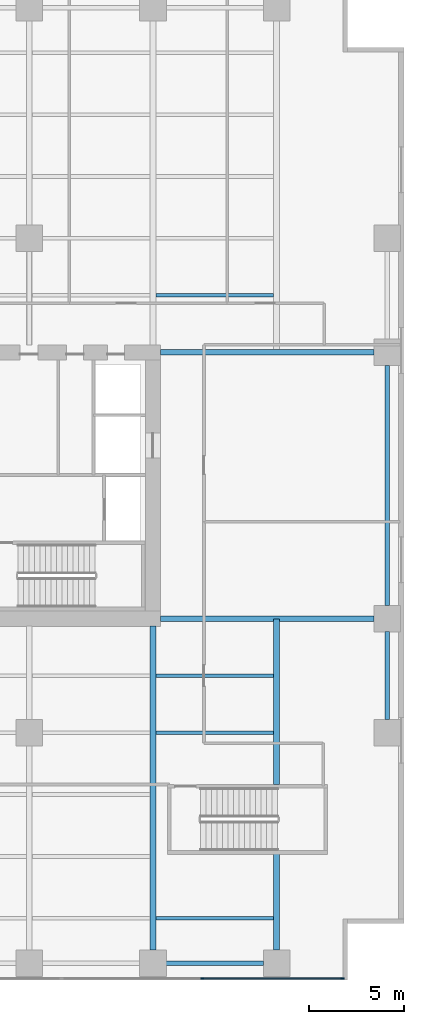
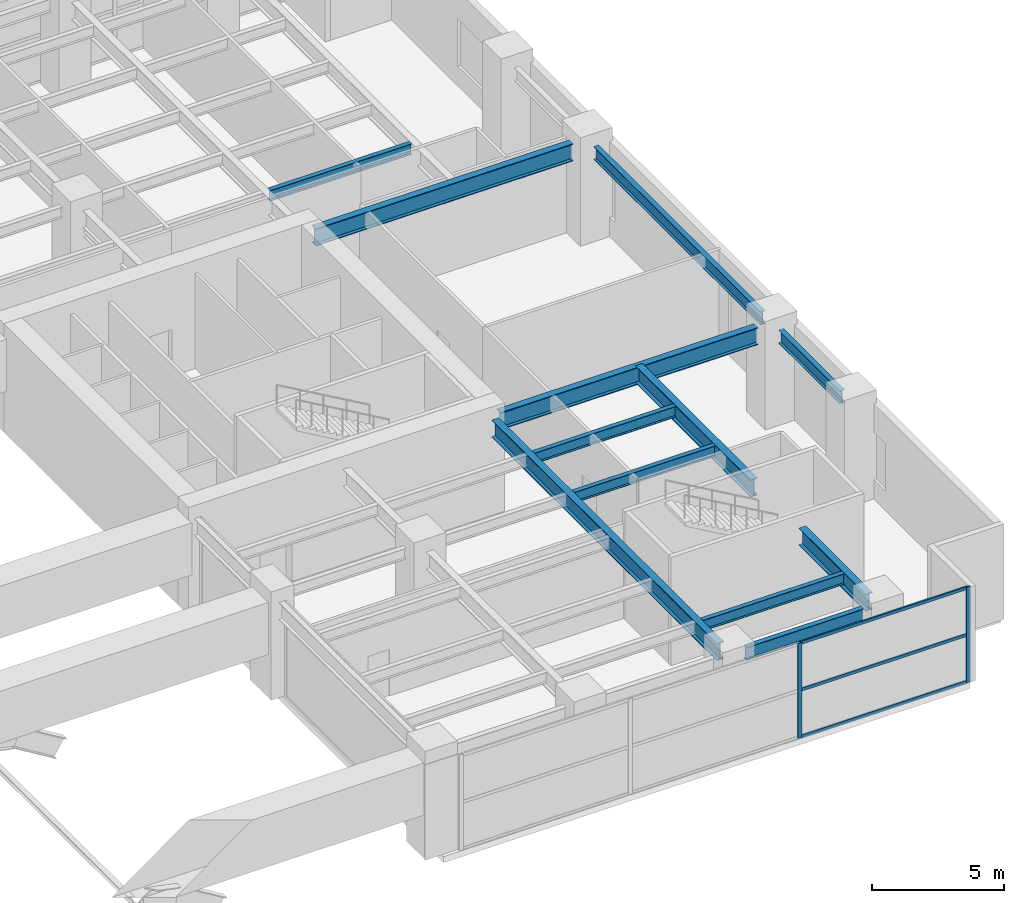
# One storey, part 10 of 23: 12 beams, 5 members, 1 element without a shape of its own.
"""IFC4 building model written with IfcOpenShell, lengths in metres."""

import ifcopenshell
import ifcopenshell.guid

model = None  # the IFC model being written
_history = None  # IfcOwnerHistory: only IFC2X3 demands one
_inside = {}  # id of a spatial element -> (the spatial element, [elements in it])
_under = {}  # id of a project, library or spatial element -> (it, [spatial elements below it])
_declared = {}  # id of a project -> (the project, [libraries it declares])
_typed = {}  # id of a type object -> (the type object, [elements of that type])
_made_of = {}  # id of a material, layer set ... -> (it, [elements and type objects made of it])


def new_model(schema):
    """Start an empty IFC model of exactly this schema.

    Asked for "IFC4X3", IfcOpenShell would pick the latest addendum, in which some entities
    have other attributes; the version numbers below select the first issue.
    IFC2X3 requires an IfcOwnerHistory on every rooted entity: one is made here for all.
    """
    global model, _history
    if schema == "IFC4X3":
        model = ifcopenshell.file(schema_version=(4, 3, 0, 0))
    else:
        model = ifcopenshell.file(schema=schema)
    _inside.clear()
    _under.clear()
    _declared.clear()
    _typed.clear()
    _made_of.clear()
    _history = None
    if model.schema == "IFC2X3":
        org = make("IfcOrganization", Name="unknown")
        user = make(
            "IfcPersonAndOrganization",
            ThePerson=make("IfcPerson", FamilyName="unknown"),
            TheOrganization=org,
        )
        app = make(
            "IfcApplication",
            ApplicationDeveloper=org,
            Version="unknown",
            ApplicationFullName="unknown",
            ApplicationIdentifier="unknown",
        )
        _history = make(
            "IfcOwnerHistory",
            OwningUser=user,
            OwningApplication=app,
            ChangeAction="ADDED",
            CreationDate=0,
        )
    return model


def make(cls, **values):
    """One entity of the class cls with the attributes given. An attribute that is None is left unset."""
    return model.create_entity(
        cls, **{name: value for name, value in values.items() if value is not None}
    )


def rooted(cls, **values):
    """An entity with a GlobalId (a new one), such as an element, a storey or a relation."""
    return make(cls, GlobalId=ifcopenshell.guid.new(), OwnerHistory=_history, **values)


def si_unit(unit_type, name, prefix=None):
    """IfcSIUnit, for example si_unit("LENGTHUNIT", "METRE", prefix="MILLI")."""
    return make("IfcSIUnit", UnitType=unit_type, Prefix=prefix, Name=name)


def assignment(units):
    """IfcUnitAssignment: the units of a project."""
    return None if units is None else make("IfcUnitAssignment", Units=units)


def point(xyz):
    """IfcCartesianPoint."""
    return None if xyz is None else make("IfcCartesianPoint", Coordinates=xyz)


def direction(xyz):
    """IfcDirection."""
    return None if xyz is None else make("IfcDirection", DirectionRatios=xyz)


def frame(location, z_axis=None, x_axis=None):
    """IfcAxis2Placement3D, a coordinate frame: its origin and axes. An axis left out is left unset."""
    return make(
        "IfcAxis2Placement3D",
        Location=point(location),
        Axis=direction(z_axis),
        RefDirection=direction(x_axis),
    )


def frame_2d(location, x_axis=None):
    """IfcAxis2Placement2D, a coordinate frame in the plane: its origin and x axis."""
    return make(
        "IfcAxis2Placement2D", Location=point(location), RefDirection=direction(x_axis)
    )


def origin():
    """The frame at (0, 0, 0) with its axes left unset."""
    return frame((0.0, 0.0, 0.0))


def origin_2d():
    """The frame at (0, 0) in the plane with its x axis left unset."""
    return frame_2d((0.0, 0.0))


def place(relative_to, where):
    """IfcLocalPlacement: puts the frame where relative to a parent placement (None: the world)."""
    return make(
        "IfcLocalPlacement", PlacementRelTo=relative_to, RelativePlacement=where
    )


def context(
    kind, dimensions, precision=None, world=None, true_north=None, identifier=None
):
    """IfcGeometricRepresentationContext, for example the 3D "Model" context."""
    return make(
        "IfcGeometricRepresentationContext",
        ContextIdentifier=identifier,
        ContextType=kind,
        CoordinateSpaceDimension=dimensions,
        Precision=precision,
        WorldCoordinateSystem=world,
        TrueNorth=true_north,
    )


def subcontext(parent, identifier, kind, view, scale=None):
    """IfcGeometricRepresentationSubContext, for example "Body" below "Model"."""
    return make(
        "IfcGeometricRepresentationSubContext",
        ContextIdentifier=identifier,
        ContextType=kind,
        ParentContext=parent,
        TargetScale=scale,
        TargetView=view,
    )


def project(units=None, contexts=None):
    """IfcProject with its units and contexts."""
    return rooted(
        "IfcProject",
        Name="project",
        RepresentationContexts=contexts,
        UnitsInContext=assignment(units),
    )


def spatial(cls, under=None, at=None, **own):
    """A site, building, storey or space (cls), placed at a placement, below another one or the project."""
    s = rooted(cls, ObjectPlacement=at, **own)
    if under is not None:
        _under.setdefault(under.id(), (under, []))[1].append(s)
    return s


def profile(cls, at=None, kind="AREA", **sizes):
    """A parametric profile (cls). Its sizes go by their IFC names, for example OverallWidth=200.0."""
    return make(cls, ProfileType=kind, Position=at, **sizes)


def rectangle(**sizes):
    """IfcRectangleProfileDef."""
    return profile("IfcRectangleProfileDef", **sizes)


def i_section(**sizes):
    """IfcIShapeProfileDef."""
    return profile("IfcIShapeProfileDef", **sizes)


def extrude(swept, where, along, depth):
    """IfcExtrudedAreaSolid: the profile swept, set in the frame where, extruded along a direction by depth."""
    return make(
        "IfcExtrudedAreaSolid",
        SweptArea=swept,
        Position=where,
        ExtrudedDirection=direction(along),
        Depth=depth,
    )


def shape(context_of_items, identifier, shape_type, items):
    """IfcShapeRepresentation: the items that make up one representation, for example the "Body"."""
    return make(
        "IfcShapeRepresentation",
        ContextOfItems=context_of_items,
        RepresentationIdentifier=identifier,
        RepresentationType=shape_type,
        Items=items,
    )


def material(Name=None, Category=None):
    """IfcMaterial."""
    return make("IfcMaterial", Name=Name, Category=Category)


def layer(
    of_material, thickness, ventilated=None, Name=None, Category=None, Priority=None
):
    """IfcMaterialLayer: one layer of a wall or slab, of a material (None: an air gap)."""
    return make(
        "IfcMaterialLayer",
        Material=of_material,
        LayerThickness=thickness,
        IsVentilated=ventilated,
        Name=Name,
        Category=Category,
        Priority=Priority,
    )


def layer_set(layers, Name=None):
    """IfcMaterialLayerSet."""
    return make("IfcMaterialLayerSet", MaterialLayers=layers, LayerSetName=Name)


def material_profile(
    of_material, cross_section, Name=None, Category=None, Priority=None
):
    """IfcMaterialProfile: a cross section and its material."""
    return make(
        "IfcMaterialProfile",
        Name=Name,
        Material=of_material,
        Profile=cross_section,
        Priority=Priority,
        Category=Category,
    )


def profile_set(profiles, Name=None, composite=None):
    """IfcMaterialProfileSet."""
    return make(
        "IfcMaterialProfileSet",
        Name=Name,
        MaterialProfiles=profiles,
        CompositeProfile=composite,
    )


def made_of(thing, what):
    """Note that an element or type object is made of a material, layer set ...; save() writes the relation."""
    if what is not None:
        _made_of.setdefault(what.id(), (what, []))[1].append(thing)
    return thing


def type_object(cls, material=None, **own):
    """A type object (cls), such as IfcWallType, which elements share."""
    return made_of(rooted(cls, **own), material)


def element(
    cls,
    number,
    at=None,
    inside=None,
    cuts=None,
    type_object=None,
    material=None,
    context=None,
    identifier="Body",
    shape_type=None,
    held_by="IfcProductDefinitionShape",
    body=None,
    shapes=None,
    **own,
):
    """One element of the class cls, such as IfcWall. Its Tag is "e" and its number.

    at: its placement. inside: the storey or other place that contains it. cuts: it is an
    opening in that element (IfcRelVoidsElement). A single representation is given by context,
    identifier, shape_type and body (its items); several are given by shapes. held_by: the class
    of the entity that holds the representations. save() writes the other relations.
    """
    e = rooted(cls, Tag="e%d" % number, ObjectPlacement=at, **own)
    if body is not None:
        shapes = [shape(context, identifier, shape_type, body)]
    if shapes is not None:
        e.Representation = make(held_by, Representations=shapes)
    if inside is not None:
        _inside.setdefault(inside.id(), (inside, []))[1].append(e)
    if cuts is not None:
        rooted(
            "IfcRelVoidsElement", RelatingBuildingElement=cuts, RelatedOpeningElement=e
        )
    if type_object is not None:
        _typed.setdefault(type_object.id(), (type_object, []))[1].append(e)
    return made_of(e, material)


def aggregate(whole, parts):
    """IfcRelAggregates: a whole, such as a stair, and the parts it consists of."""
    return rooted("IfcRelAggregates", RelatingObject=whole, RelatedObjects=parts)


def save(model, path):
    """Write the relations noted so far, then the file.

    IfcRelAggregates (storeys below a building ...), IfcRelContainedInSpatialStructure (elements
    in a storey), IfcRelDefinesByType, IfcRelAssociatesMaterial and IfcRelDeclares: one each for
    every whole, place, type object, material and project.
    """
    for whole, parts in _under.values():
        aggregate(whole, parts)
    for where, things in _inside.values():
        rooted(
            "IfcRelContainedInSpatialStructure",
            RelatedElements=things,
            RelatingStructure=where,
        )
    for kind, things in _typed.values():
        rooted("IfcRelDefinesByType", RelatedObjects=things, RelatingType=kind)
    for what, things in _made_of.values():
        rooted("IfcRelAssociatesMaterial", RelatedObjects=things, RelatingMaterial=what)
    for by, libraries in _declared.values():
        rooted("IfcRelDeclares", RelatingContext=by, RelatedDefinitions=libraries)
    model.write(path)


model = new_model("IFC4")

# Units and contexts
model_context = context("Model", 3, precision=1e-05, world=origin(), true_north=direction((0.0, 1.0)))
body_context = subcontext(model_context, "Body", "Model", "MODEL_VIEW")
ifc_project = project(units=[si_unit("LENGTHUNIT", "METRE"), si_unit("AREAUNIT", "SQUARE_METRE"), si_unit("VOLUMEUNIT", "CUBIC_METRE"), si_unit("PLANEANGLEUNIT", "RADIAN"), si_unit("MASSUNIT", "GRAM", prefix="KILO")], contexts=[model_context])

# Site, building, storey
site_placement = place(None, origin())
site = spatial("IfcSite", under=ifc_project, at=site_placement, CompositionType="ELEMENT")
building_placement = place(site_placement, origin())
building = spatial("IfcBuilding", under=site, at=building_placement, Name="Putna Gate Headquarters", CompositionType="ELEMENT")
storey_placement = place(building_placement, frame((0.0, 0.0, 17.0)))
storey = spatial("IfcBuildingStorey", under=building, at=storey_placement, Name="L03", CompositionType="ELEMENT", Elevation=17.0)

# Beams
ifc_material_1 = material(Name="Steel S355J2", Category="steel")
ifc_material_profile_1 = material_profile(ifc_material_1, i_section(OverallWidth=0.300048828125, OverallDepth=0.800048828125, WebThickness=0.017578125, FlangeThickness=0.032958984375, at=origin_2d()), Name="Steel S355J2")
ifc_profile_set_1 = profile_set([ifc_material_profile_1], Name="Steel S355J2")
beam_type_1 = type_object("IfcBeamType", Name="BM-GIRD-P-HEB800", PredefinedType="USERDEFINED", material=ifc_profile_set_1)
for number, where, z_axis, x_axis, name in (
    (1, (65.385009765625, 19.0, 4.0), (1.0, 0.0, 0.0), (0.0, 1.0, 0.0), "L03 East Wing Girder Y19"),
    (2, (65.385009765625, 33.0, 4.0), (1.0, 0.0, 0.0), (0.0, 1.0, 0.0), "L03 East Wing Girder Y33"),
):
    element("IfcBeam", number, at=place(storey_placement, frame(where, z_axis=z_axis, x_axis=x_axis)), inside=storey, type_object=beam_type_1, Name=name, ObjectType="GIRDER", PredefinedType="USERDEFINED", context=body_context, shape_type="SweptSolid", body=[
        extrude(i_section(OverallWidth=0.300048828125, OverallDepth=0.800048828125, WebThickness=0.017578125, FlangeThickness=0.032958984375, at=origin_2d()), origin(), (0.0, 0.0, 1.0), 11.2470703125),
    ])
beam_1_placement = place(storey_placement, frame((65.0, 1.568115234375, 4.0), z_axis=(0.0, 1.0, 0.0), x_axis=(-1.0, 0.0, 0.0)))
element("IfcBeam", 3, at=beam_1_placement, inside=storey, type_object=beam_type_1, Name="L03 South Primary Girder X65", ObjectType="GIRDER", PredefinedType="USERDEFINED", context=body_context, shape_type="SweptSolid", body=[
    extrude(i_section(OverallWidth=0.300048828125, OverallDepth=0.800048828125, WebThickness=0.017578125, FlangeThickness=0.032958984375, at=origin_2d()), origin(), (0.0, 0.0, 1.0), 17.046875),
])
beam_2_placement = place(storey_placement, frame((71.5, 1.568115234375, 4.0), z_axis=(0.0, 1.0, 0.0), x_axis=(-1.0, 0.0, 0.0)))
element("IfcBeam", 4, at=beam_2_placement, inside=storey, type_object=beam_type_1, Name="L03 South Girder X71-A", ObjectType="GIRDER", PredefinedType="USERDEFINED", context=body_context, shape_type="SweptSolid", body=[
    extrude(i_section(OverallWidth=0.300048828125, OverallDepth=0.800048828125, WebThickness=0.017578125, FlangeThickness=0.032958984375, at=origin_2d()), origin(), (0.0, 0.0, 1.0), 5.056884765625),
])
beam_3_placement = place(storey_placement, frame((71.5, 10.27490234375, 4.0), z_axis=(0.0, 1.0, 0.0), x_axis=(-1.0, 0.0, 0.0)))
element("IfcBeam", 5, at=beam_3_placement, inside=storey, type_object=beam_type_1, Name="L03 South Girder X71-B", ObjectType="GIRDER", PredefinedType="USERDEFINED", context=body_context, shape_type="SweptSolid", body=[
    extrude(i_section(OverallWidth=0.300048828125, OverallDepth=0.800048828125, WebThickness=0.017578125, FlangeThickness=0.032958984375, at=origin_2d()), origin(), (0.0, 0.0, 1.0), 8.713134765625),
])
ifc_material_profile_2 = material_profile(ifc_material_1, i_section(OverallWidth=0.199951171875, OverallDepth=0.5, WebThickness=0.01025390625, FlangeThickness=0.01611328125, at=origin_2d()), Name="Steel S355J2")
ifc_profile_set_2 = profile_set([ifc_material_profile_2], Name="Steel S355J2")
beam_type_2 = type_object("IfcBeamType", Name="BM-SEC-P-IPE500", PredefinedType="BEAM", material=ifc_profile_set_2)
for number, where, z_axis, x_axis, name in (
    (6, (65.154052734375, 3.25, 4.14990234375), (1.0, 0.0, 0.0), (0.0, 1.0, 0.0), "L03 South Secondary Beam 7"),
    (7, (65.154052734375, 13.0, 4.14990234375), (1.0, 0.0, 0.0), (0.0, 1.0, 0.0), "L03 South Secondary Beam 7"),
    (8, (65.154052734375, 16.0, 4.14990234375), (1.0, 0.0, 0.0), (0.0, 1.0, 0.0), "L03 South Secondary Beam 7"),
    (9, (65.154052734375, 36.0, 4.14990234375), (1.0, 0.0, 0.0), (0.0, 1.0, 0.0), "L03 North Secondary Beam 7"),
):
    element("IfcBeam", number, at=place(storey_placement, frame(where, z_axis=z_axis, x_axis=x_axis)), inside=storey, type_object=beam_type_2, Name=name, PredefinedType="BEAM", context=body_context, shape_type="SweptSolid", body=[
        extrude(i_section(OverallWidth=0.199951171875, OverallDepth=0.5, WebThickness=0.01025390625, FlangeThickness=0.01611328125, at=origin_2d()), origin(), (0.0, 0.0, 1.0), 6.19189453125),
    ])
ifc_material_profile_3 = material_profile(ifc_material_1, i_section(OverallWidth=0.219970703125, OverallDepth=0.60009765625, WebThickness=0.011962890625, FlangeThickness=0.01904296875, at=origin_2d()), Name="Steel S355J2")
ifc_profile_set_3 = profile_set([ifc_material_profile_3], Name="Steel S355J2")
beam_type_3 = type_object("IfcBeamType", Name="BM-SPAN-P-IPE600", PredefinedType="SPANDREL", material=ifc_profile_set_3)
beam_4_placement = place(storey_placement, frame((65.68798828125, 0.8798828125, 4.10009765625), z_axis=(1.0, 0.0, 0.0), x_axis=(0.0, 1.0, 0.0)))
element("IfcBeam", 10, at=beam_4_placement, inside=storey, type_object=beam_type_3, Name="L03 S Perimeter Spandrel 7", PredefinedType="SPANDREL", context=body_context, shape_type="SweptSolid", body=[
    extrude(i_section(OverallWidth=0.219970703125, OverallDepth=0.60009765625, WebThickness=0.011962890625, FlangeThickness=0.01904296875, at=origin_2d()), origin(), (0.0, 0.0, 1.0), 5.1240234375),
])
beam_5_placement = place(storey_placement, frame((77.320068359375, 13.68798828125, 4.10009765625), z_axis=(0.0, 1.0, 0.0), x_axis=(-1.0, 0.0, 0.0)))
element("IfcBeam", 11, at=beam_5_placement, inside=storey, type_object=beam_type_3, Name="L03 E End Spandrel 1", PredefinedType="SPANDREL", context=body_context, shape_type="SweptSolid", body=[
    extrude(i_section(OverallWidth=0.219970703125, OverallDepth=0.60009765625, WebThickness=0.011962890625, FlangeThickness=0.01904296875, at=origin_2d()), origin(), (0.0, 0.0, 1.0), 4.6240234375),
])
beam_6_placement = place(storey_placement, frame((77.320068359375, 19.68798828125, 4.10009765625), z_axis=(0.0, 1.0, 0.0), x_axis=(-1.0, 0.0, 0.0)))
element("IfcBeam", 12, at=beam_6_placement, inside=storey, type_object=beam_type_3, Name="L03 E End Spandrel 2", PredefinedType="SPANDREL", context=body_context, shape_type="SweptSolid", body=[
    extrude(i_section(OverallWidth=0.219970703125, OverallDepth=0.60009765625, WebThickness=0.011962890625, FlangeThickness=0.01904296875, at=origin_2d()), origin(), (0.0, 0.0, 1.0), 12.6240234375),
])

# Curtain wall, members
ifc_material_2 = material(Name="Anodised bronze aluminium curtain wall", Category="aluminium")
ifc_layer = layer(ifc_material_2, 0.179931640625)
ifc_layer_set = layer_set([ifc_layer], Name="Anodised bronze aluminium curtain wall")
curtain_wall_type = type_object("IfcCurtainWallType", Name="CW-SYS-POD", PredefinedType="USERDEFINED", material=ifc_layer_set)
curtain_wall_placement = place(storey_placement, origin())
curtain_wall = element("IfcCurtainWall", 13, at=curtain_wall_placement, inside=storey, type_object=curtain_wall_type, Name="L03 South East Curtain Wall", ObjectType="STICK CURTAIN WALL", PredefinedType="USERDEFINED")
ifc_material_3 = material(Name="Anodised bronze aluminium EN AW-6060", Category="aluminium")
ifc_material_profile_4 = material_profile(ifc_material_3, rectangle(XDim=0.070068359375, YDim=0.179931640625, at=origin_2d()), Name="Anodised bronze aluminium EN AW-6060")
ifc_profile_set_4 = profile_set([ifc_material_profile_4], Name="Anodised bronze aluminium EN AW-6060")
member_type_1 = type_object("IfcMemberType", Name="MULL-CWM-P", PredefinedType="MULLION", material=ifc_profile_set_4)
member_1_placement = place(storey_placement, frame((67.59326171875, 0.080078125, 0.0), z_axis=(0.0, 0.0, 1.0), x_axis=(0.0, 1.0, 0.0)))
member_1 = element("IfcMember", 14, at=member_1_placement, type_object=member_type_1, Name="CWS-P mullion 3", PredefinedType="MULLION", context=body_context, shape_type="SweptSolid", body=[
    extrude(rectangle(XDim=0.070068359375, YDim=0.179931640625, at=origin_2d()), origin(), (0.0, 0.0, 1.0), 4.39990234375),
])
member_2_placement = place(storey_placement, frame((74.965087890625, 0.080078125, 0.0), z_axis=(0.0, 0.0, 1.0), x_axis=(0.0, 1.0, 0.0)))
member_2 = element("IfcMember", 15, at=member_2_placement, type_object=member_type_1, Name="CWS-P mullion 4", PredefinedType="MULLION", context=body_context, shape_type="SweptSolid", body=[
    extrude(rectangle(XDim=0.070068359375, YDim=0.179931640625, at=origin_2d()), origin(), (0.0, 0.0, 1.0), 4.39990234375),
])
ifc_material_profile_5 = material_profile(ifc_material_3, rectangle(XDim=0.070068359375, YDim=0.139892578125, at=origin_2d()), Name="Anodised bronze aluminium EN AW-6060")
ifc_profile_set_5 = profile_set([ifc_material_profile_5], Name="Anodised bronze aluminium EN AW-6060")
member_type_2 = type_object("IfcMemberType", Name="TRAN-CWT-P", PredefinedType="USERDEFINED", material=ifc_profile_set_5)
member_3_placement = place(storey_placement, frame((67.62841796875, 0.080078125, 0.034912109375), z_axis=(1.0, 0.0, 0.0), x_axis=(0.0, 1.0, 0.0)))
member_3 = element("IfcMember", 16, at=member_3_placement, type_object=member_type_2, Name="CWS-P transom 3.1", ObjectType="TRANSOM", PredefinedType="USERDEFINED", context=body_context, shape_type="SweptSolid", body=[
    extrude(rectangle(XDim=0.070068359375, YDim=0.139892578125, at=origin_2d()), origin(), (0.0, 0.0, 1.0), 7.301513671875),
])
member_4_placement = place(storey_placement, frame((67.62841796875, 0.080078125, 2.199951171875), z_axis=(1.0, 0.0, 0.0), x_axis=(0.0, 1.0, 0.0)))
member_4 = element("IfcMember", 17, at=member_4_placement, type_object=member_type_2, Name="CWS-P transom 3.2", ObjectType="TRANSOM", PredefinedType="USERDEFINED", context=body_context, shape_type="SweptSolid", body=[
    extrude(rectangle(XDim=0.070068359375, YDim=0.139892578125, at=origin_2d()), origin(), (0.0, 0.0, 1.0), 7.301513671875),
])
member_5_placement = place(storey_placement, frame((67.62841796875, 0.080078125, 4.364990234375), z_axis=(1.0, 0.0, 0.0), x_axis=(0.0, 1.0, 0.0)))
member_5 = element("IfcMember", 18, at=member_5_placement, type_object=member_type_2, Name="CWS-P transom 3.3", ObjectType="TRANSOM", PredefinedType="USERDEFINED", context=body_context, shape_type="SweptSolid", body=[
    extrude(rectangle(XDim=0.070068359375, YDim=0.139892578125, at=origin_2d()), origin(), (0.0, 0.0, 1.0), 7.301513671875),
])
aggregate(curtain_wall, [member_1, member_2, member_3, member_4, member_5])

save(model, "model.ifc")
